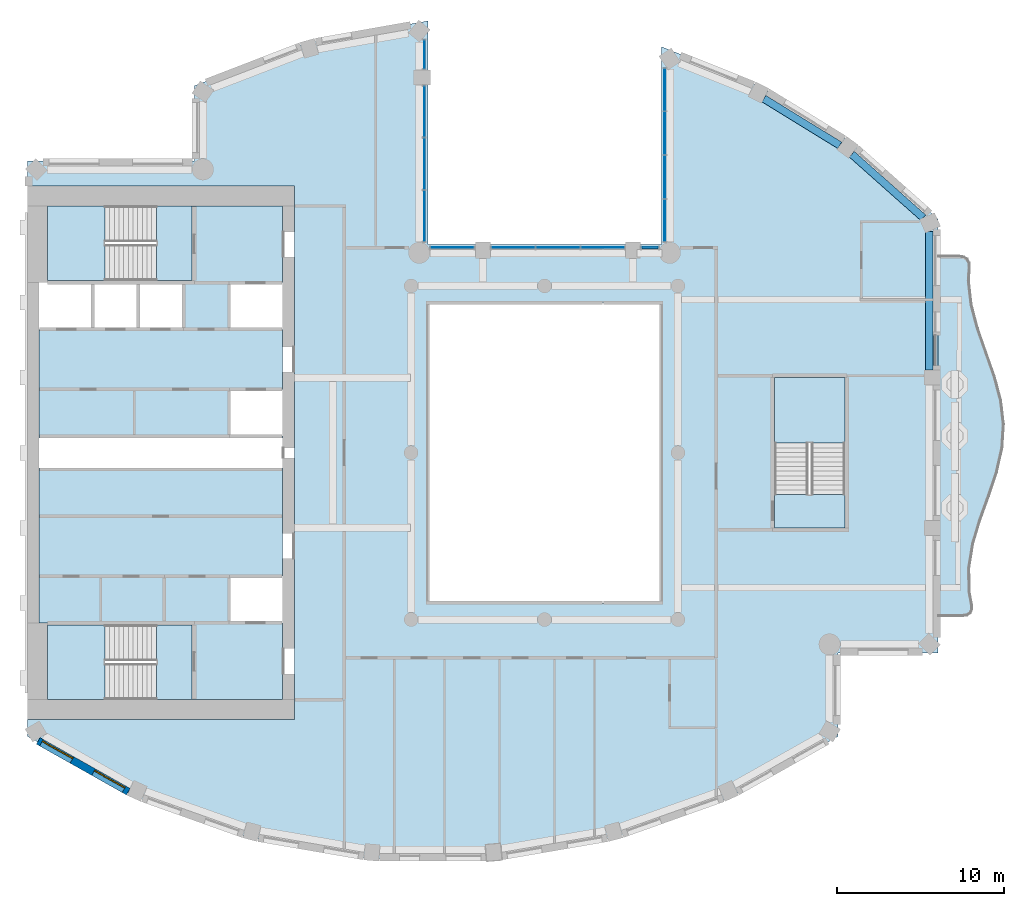
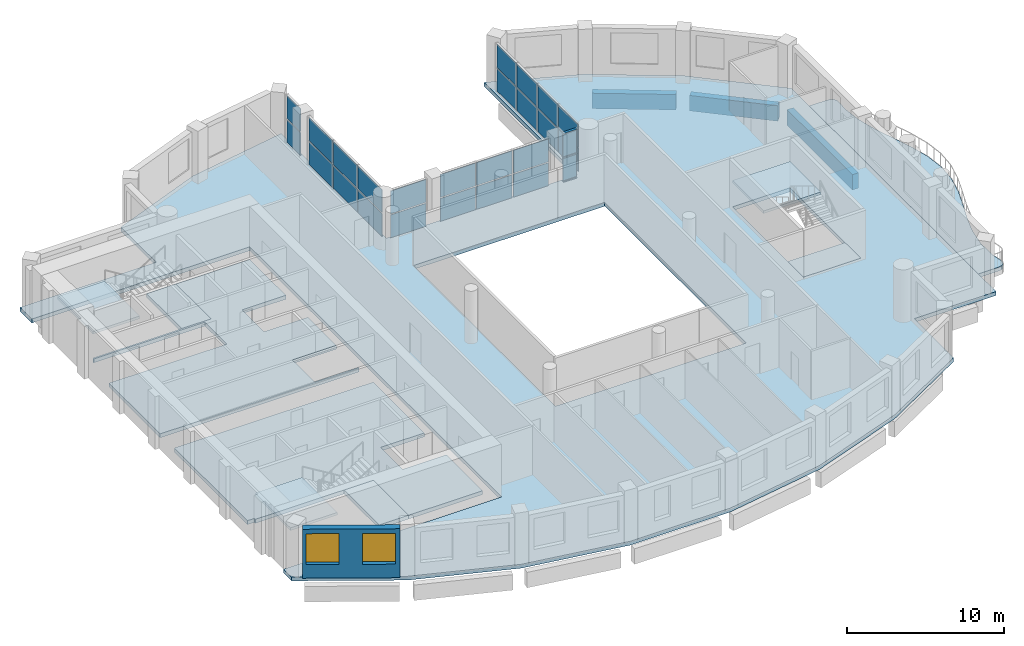
# One storey, part 3 of 14: 26 plates, 10 slabs, 3 beams, 3 members, 2 windows, 1 wall, 2 openings, 9 elements without a shape of their own.
"""IFC4 building model written with IfcOpenShell, lengths in metres."""

import ifcopenshell
import ifcopenshell.guid

model = None  # the IFC model being written
_history = None  # IfcOwnerHistory: only IFC2X3 demands one
_inside = {}  # id of a spatial element -> (the spatial element, [elements in it])
_under = {}  # id of a project, library or spatial element -> (it, [spatial elements below it])
_declared = {}  # id of a project -> (the project, [libraries it declares])
_typed = {}  # id of a type object -> (the type object, [elements of that type])
_made_of = {}  # id of a material, layer set ... -> (it, [elements and type objects made of it])


def new_model(schema):
    """Start an empty IFC model of exactly this schema.

    Asked for "IFC4X3", IfcOpenShell would pick the latest addendum, in which some entities
    have other attributes; the version numbers below select the first issue.
    IFC2X3 requires an IfcOwnerHistory on every rooted entity: one is made here for all.
    """
    global model, _history
    if schema == "IFC4X3":
        model = ifcopenshell.file(schema_version=(4, 3, 0, 0))
    else:
        model = ifcopenshell.file(schema=schema)
    _inside.clear()
    _under.clear()
    _declared.clear()
    _typed.clear()
    _made_of.clear()
    _history = None
    if model.schema == "IFC2X3":
        org = make("IfcOrganization", Name="unknown")
        user = make(
            "IfcPersonAndOrganization",
            ThePerson=make("IfcPerson", FamilyName="unknown"),
            TheOrganization=org,
        )
        app = make(
            "IfcApplication",
            ApplicationDeveloper=org,
            Version="unknown",
            ApplicationFullName="unknown",
            ApplicationIdentifier="unknown",
        )
        _history = make(
            "IfcOwnerHistory",
            OwningUser=user,
            OwningApplication=app,
            ChangeAction="ADDED",
            CreationDate=0,
        )
    return model


def make(cls, **values):
    """One entity of the class cls with the attributes given. An attribute that is None is left unset."""
    return model.create_entity(
        cls, **{name: value for name, value in values.items() if value is not None}
    )


def rooted(cls, **values):
    """An entity with a GlobalId (a new one), such as an element, a storey or a relation."""
    return make(cls, GlobalId=ifcopenshell.guid.new(), OwnerHistory=_history, **values)


def si_unit(unit_type, name, prefix=None):
    """IfcSIUnit, for example si_unit("LENGTHUNIT", "METRE", prefix="MILLI")."""
    return make("IfcSIUnit", UnitType=unit_type, Prefix=prefix, Name=name)


def assignment(units):
    """IfcUnitAssignment: the units of a project."""
    return None if units is None else make("IfcUnitAssignment", Units=units)


def point(xyz):
    """IfcCartesianPoint."""
    return None if xyz is None else make("IfcCartesianPoint", Coordinates=xyz)


def direction(xyz):
    """IfcDirection."""
    return None if xyz is None else make("IfcDirection", DirectionRatios=xyz)


def frame(location, z_axis=None, x_axis=None):
    """IfcAxis2Placement3D, a coordinate frame: its origin and axes. An axis left out is left unset."""
    return make(
        "IfcAxis2Placement3D",
        Location=point(location),
        Axis=direction(z_axis),
        RefDirection=direction(x_axis),
    )


def frame_2d(location, x_axis=None):
    """IfcAxis2Placement2D, a coordinate frame in the plane: its origin and x axis."""
    return make(
        "IfcAxis2Placement2D", Location=point(location), RefDirection=direction(x_axis)
    )


def origin():
    """The frame at (0, 0, 0) with its axes left unset."""
    return frame((0.0, 0.0, 0.0))


def origin_2d():
    """The frame at (0, 0) in the plane with its x axis left unset."""
    return frame_2d((0.0, 0.0))


def place(relative_to, where):
    """IfcLocalPlacement: puts the frame where relative to a parent placement (None: the world)."""
    return make(
        "IfcLocalPlacement", PlacementRelTo=relative_to, RelativePlacement=where
    )


def context(
    kind, dimensions, precision=None, world=None, true_north=None, identifier=None
):
    """IfcGeometricRepresentationContext, for example the 3D "Model" context."""
    return make(
        "IfcGeometricRepresentationContext",
        ContextIdentifier=identifier,
        ContextType=kind,
        CoordinateSpaceDimension=dimensions,
        Precision=precision,
        WorldCoordinateSystem=world,
        TrueNorth=true_north,
    )


def subcontext(parent, identifier, kind, view, scale=None):
    """IfcGeometricRepresentationSubContext, for example "Body" below "Model"."""
    return make(
        "IfcGeometricRepresentationSubContext",
        ContextIdentifier=identifier,
        ContextType=kind,
        ParentContext=parent,
        TargetScale=scale,
        TargetView=view,
    )


def project(units=None, contexts=None):
    """IfcProject with its units and contexts."""
    return rooted(
        "IfcProject",
        Name="project",
        RepresentationContexts=contexts,
        UnitsInContext=assignment(units),
    )


def spatial(cls, under=None, at=None, **own):
    """A site, building, storey or space (cls), placed at a placement, below another one or the project."""
    s = rooted(cls, ObjectPlacement=at, **own)
    if under is not None:
        _under.setdefault(under.id(), (under, []))[1].append(s)
    return s


def polyline(points):
    """IfcPolyline through the points."""
    return make("IfcPolyline", Points=[point(p) for p in points])


def profile(cls, at=None, kind="AREA", **sizes):
    """A parametric profile (cls). Its sizes go by their IFC names, for example OverallWidth=200.0."""
    return make(cls, ProfileType=kind, Position=at, **sizes)


def rectangle(**sizes):
    """IfcRectangleProfileDef."""
    return profile("IfcRectangleProfileDef", **sizes)


def outline(outer, holes=None, kind="AREA"):
    """IfcArbitraryClosedProfileDef: a profile drawn as a closed curve; with holes, ...WithVoids."""
    if holes is None:
        return make("IfcArbitraryClosedProfileDef", ProfileType=kind, OuterCurve=outer)
    return make(
        "IfcArbitraryProfileDefWithVoids",
        ProfileType=kind,
        OuterCurve=outer,
        InnerCurves=holes,
    )


def extrude(swept, where, along, depth):
    """IfcExtrudedAreaSolid: the profile swept, set in the frame where, extruded along a direction by depth."""
    return make(
        "IfcExtrudedAreaSolid",
        SweptArea=swept,
        Position=where,
        ExtrudedDirection=direction(along),
        Depth=depth,
    )


def shape(context_of_items, identifier, shape_type, items):
    """IfcShapeRepresentation: the items that make up one representation, for example the "Body"."""
    return make(
        "IfcShapeRepresentation",
        ContextOfItems=context_of_items,
        RepresentationIdentifier=identifier,
        RepresentationType=shape_type,
        Items=items,
    )


def material(Name=None, Category=None):
    """IfcMaterial."""
    return make("IfcMaterial", Name=Name, Category=Category)


def layer(
    of_material, thickness, ventilated=None, Name=None, Category=None, Priority=None
):
    """IfcMaterialLayer: one layer of a wall or slab, of a material (None: an air gap)."""
    return make(
        "IfcMaterialLayer",
        Material=of_material,
        LayerThickness=thickness,
        IsVentilated=ventilated,
        Name=Name,
        Category=Category,
        Priority=Priority,
    )


def layer_set(layers, Name=None):
    """IfcMaterialLayerSet."""
    return make("IfcMaterialLayerSet", MaterialLayers=layers, LayerSetName=Name)


def material_profile(
    of_material, cross_section, Name=None, Category=None, Priority=None
):
    """IfcMaterialProfile: a cross section and its material."""
    return make(
        "IfcMaterialProfile",
        Name=Name,
        Material=of_material,
        Profile=cross_section,
        Priority=Priority,
        Category=Category,
    )


def profile_set(profiles, Name=None, composite=None):
    """IfcMaterialProfileSet."""
    return make(
        "IfcMaterialProfileSet",
        Name=Name,
        MaterialProfiles=profiles,
        CompositeProfile=composite,
    )


def made_of(thing, what):
    """Note that an element or type object is made of a material, layer set ...; save() writes the relation."""
    if what is not None:
        _made_of.setdefault(what.id(), (what, []))[1].append(thing)
    return thing


def type_object(cls, material=None, **own):
    """A type object (cls), such as IfcWallType, which elements share."""
    return made_of(rooted(cls, **own), material)


def element(
    cls,
    number,
    at=None,
    inside=None,
    cuts=None,
    type_object=None,
    material=None,
    context=None,
    identifier="Body",
    shape_type=None,
    held_by="IfcProductDefinitionShape",
    body=None,
    shapes=None,
    **own,
):
    """One element of the class cls, such as IfcWall. Its Tag is "e" and its number.

    at: its placement. inside: the storey or other place that contains it. cuts: it is an
    opening in that element (IfcRelVoidsElement). A single representation is given by context,
    identifier, shape_type and body (its items); several are given by shapes. held_by: the class
    of the entity that holds the representations. save() writes the other relations.
    """
    e = rooted(cls, Tag="e%d" % number, ObjectPlacement=at, **own)
    if body is not None:
        shapes = [shape(context, identifier, shape_type, body)]
    if shapes is not None:
        e.Representation = make(held_by, Representations=shapes)
    if inside is not None:
        _inside.setdefault(inside.id(), (inside, []))[1].append(e)
    if cuts is not None:
        rooted(
            "IfcRelVoidsElement", RelatingBuildingElement=cuts, RelatedOpeningElement=e
        )
    if type_object is not None:
        _typed.setdefault(type_object.id(), (type_object, []))[1].append(e)
    return made_of(e, material)


def fill(opening, filler):
    """IfcRelFillsElement: the door or window that sits in an opening."""
    return rooted(
        "IfcRelFillsElement",
        RelatingOpeningElement=opening,
        RelatedBuildingElement=filler,
    )


def aggregate(whole, parts):
    """IfcRelAggregates: a whole, such as a stair, and the parts it consists of."""
    return rooted("IfcRelAggregates", RelatingObject=whole, RelatedObjects=parts)


def save(model, path):
    """Write the relations noted so far, then the file.

    IfcRelAggregates (storeys below a building ...), IfcRelContainedInSpatialStructure (elements
    in a storey), IfcRelDefinesByType, IfcRelAssociatesMaterial and IfcRelDeclares: one each for
    every whole, place, type object, material and project.
    """
    for whole, parts in _under.values():
        aggregate(whole, parts)
    for where, things in _inside.values():
        rooted(
            "IfcRelContainedInSpatialStructure",
            RelatedElements=things,
            RelatingStructure=where,
        )
    for kind, things in _typed.values():
        rooted("IfcRelDefinesByType", RelatedObjects=things, RelatingType=kind)
    for what, things in _made_of.values():
        rooted("IfcRelAssociatesMaterial", RelatedObjects=things, RelatingMaterial=what)
    for by, libraries in _declared.values():
        rooted("IfcRelDeclares", RelatingContext=by, RelatedDefinitions=libraries)
    model.write(path)


model = new_model("IFC4")

# Units and contexts
model_context = context("Model", 3, precision=1e-05, world=origin(), true_north=direction((0.0, 1.0)))
body_context = subcontext(model_context, "Body", "Model", "MODEL_VIEW")
ifc_project = project(units=[si_unit("LENGTHUNIT", "METRE"), si_unit("AREAUNIT", "SQUARE_METRE"), si_unit("VOLUMEUNIT", "CUBIC_METRE"), si_unit("PLANEANGLEUNIT", "RADIAN"), si_unit("MASSUNIT", "GRAM", prefix="KILO")], contexts=[model_context])

# Site, building, storey
site_placement = place(None, origin())
site = spatial("IfcSite", under=ifc_project, at=site_placement, CompositionType="ELEMENT")
building_placement = place(site_placement, origin())
building = spatial("IfcBuilding", under=site, at=building_placement, Name="Cypress Arch Tower", CompositionType="ELEMENT")
storey_placement = place(building_placement, frame((0.0, 0.0, 304.89990234375)))
storey = spatial("IfcBuildingStorey", under=building, at=storey_placement, Name="L69", CompositionType="ELEMENT", Elevation=304.89990234375)

# Beams
ifc_material_1 = material(Name="Concrete C50/60", Category="concrete")
ifc_material_profile_1 = material_profile(ifc_material_1, rectangle(XDim=0.449951171875, YDim=1.199951171875, at=origin_2d()), Name="RC 450x1200")
ifc_profile_set_1 = profile_set([ifc_material_profile_1], Name="Concrete C50/60")
beam_type = type_object("IfcBeamType", Name="Spandrel beam RC 450x1200 Concrete C50/60", PredefinedType="SPANDREL", material=ifc_profile_set_1)
beam_1_placement = place(storey_placement, frame((24.074951171875, 4.949951171875, -1.5498046875), z_axis=(0.0, 1.0, 0.0), x_axis=(-1.0, 0.0, 0.0)))
element("IfcBeam", 1, at=beam_1_placement, inside=storey, type_object=beam_type, Name="Spandrel beam L69 BC17-2", PredefinedType="SPANDREL", context=body_context, shape_type="SweptSolid", body=[
    extrude(rectangle(XDim=0.449951171875, YDim=1.199951171875, at=origin_2d()), origin(), (0.0, 0.0, 1.0), 8.32080078125),
])
beam_2_placement = place(storey_placement, frame((23.706298828125, 14.091796875, -1.5498046875), z_axis=(-0.747555073917, 0.664199827959, 0.0), x_axis=(-0.664199827959, -0.747555073917, 0.0)))
element("IfcBeam", 2, at=beam_2_placement, inside=storey, type_object=beam_type, Name="Spandrel beam L69 BC18-0", PredefinedType="SPANDREL", context=body_context, shape_type="SweptSolid", body=[
    extrude(rectangle(XDim=0.449951171875, YDim=1.199951171875, at=origin_2d()), origin(), (0.0, 0.0, 1.0), 5.72900390625),
])
beam_3_placement = place(storey_placement, frame((18.700927734375, 18.43359375, -1.5498046875), z_axis=(-0.851880940975, 0.523735488966, 0.0), x_axis=(-0.523735488966, -0.851880940975, 0.0)))
element("IfcBeam", 3, at=beam_3_placement, inside=storey, type_object=beam_type, Name="Spandrel beam L69 BC19-0", PredefinedType="SPANDREL", context=body_context, shape_type="SweptSolid", body=[
    extrude(rectangle(XDim=0.449951171875, YDim=1.199951171875, at=origin_2d()), origin(), (0.0, 0.0, 1.0), 5.344970703125),
])

# Curtain wall, members
ifc_material_2 = material(Name="Anodised aluminium, bronze finish, clear laminated double glazing", Category="aluminium")
curtain_wall_type = type_object("IfcCurtainWallType", Name="Curtain wall CW7 slot glazing", PredefinedType="NOTDEFINED", material=ifc_material_2)
curtain_wall_1_placement = place(storey_placement, origin())
curtain_wall_1 = element("IfcCurtainWall", 4, at=curtain_wall_1_placement, inside=storey, type_object=curtain_wall_type, Name="Curtain wall L69 slot C01.0", PredefinedType="NOTDEFINED")
ifc_material_3 = material(Name="Anodised aluminium, bronze finish", Category="aluminium")
ifc_material_profile_2 = material_profile(ifc_material_3, rectangle(XDim=0.179931640625, YDim=0.0849609375, at=origin_2d()), Name="Transom 85x180")
ifc_profile_set_2 = profile_set([ifc_material_profile_2], Name="Anodised aluminium, bronze finish")
member_type = type_object("IfcMemberType", Name="Transom CW7 85x180", PredefinedType="USERDEFINED", material=ifc_profile_set_2)
member_1_placement = place(storey_placement, frame((7.8134765625, 12.300048828125, 0.04248046875), z_axis=(-1.0, 0.0, 0.0), x_axis=(0.0, -1.0, 0.0)))
member_1 = element("IfcMember", 5, at=member_1_placement, type_object=member_type, Name="CW7 transom 1.1", ObjectType="TRANSOM", PredefinedType="USERDEFINED", context=body_context, shape_type="SweptSolid", body=[
    extrude(rectangle(XDim=0.179931640625, YDim=0.0849609375, at=origin_2d()), origin(), (0.0, 0.0, 1.0), 0.978515625),
])
member_2_placement = place(storey_placement, frame((7.8134765625, 12.300048828125, 1.900146484375), z_axis=(-1.0, 0.0, 0.0), x_axis=(0.0, -1.0, 0.0)))
member_2 = element("IfcMember", 6, at=member_2_placement, type_object=member_type, Name="CW7 transom 1.2", ObjectType="TRANSOM", PredefinedType="USERDEFINED", context=body_context, shape_type="SweptSolid", body=[
    extrude(rectangle(XDim=0.179931640625, YDim=0.0849609375, at=origin_2d()), origin(), (0.0, 0.0, 1.0), 0.978515625),
])
member_3_placement = place(storey_placement, frame((7.8134765625, 12.300048828125, 3.757568359375), z_axis=(-1.0, 0.0, 0.0), x_axis=(0.0, -1.0, 0.0)))
member_3 = element("IfcMember", 7, at=member_3_placement, type_object=member_type, Name="CW7 transom 1.3", ObjectType="TRANSOM", PredefinedType="USERDEFINED", context=body_context, shape_type="SweptSolid", body=[
    extrude(rectangle(XDim=0.179931640625, YDim=0.0849609375, at=origin_2d()), origin(), (0.0, 0.0, 1.0), 0.978515625),
])

# Slabs
ifc_material_4 = material(Name="Concrete C40/50", Category="concrete")
ifc_layer_1 = layer(ifc_material_4, 0.300048828125)
ifc_layer_set_1 = layer_set([ifc_layer_1], Name="Balcony slab BS300")
slab_type_1 = type_object("IfcSlabType", Name="Balcony slab BS300", PredefinedType="USERDEFINED", material=ifc_layer_set_1)
slab_1_placement = place(storey_placement, frame((0.0, 0.0, -0.2998046875)))
element("IfcSlab", 8, at=slab_1_placement, inside=storey, type_object=slab_type_1, Name="Balcony slab L69-C17", ObjectType="BALCONY SLAB", PredefinedType="USERDEFINED", context=body_context, shape_type="SweptSolid", body=[
    extrude(outline(polyline([(24.60009765625, -9.75), (26.051513671875, -9.75), (26.3310546875, -9.709716796875), (26.513671875, -9.5888671875), (26.599365234375, -9.38720703125), (26.588134765625, -9.10498046875), (26.4423828125, -8.316650390625), (26.42431640625, -6.88330078125), (26.657470703125, -5.449951171875), (27.085205078125, -4.0166015625), (27.602294921875, -2.583251953125), (28.081787109375, -1.14990234375), (28.40673828125, 0.283447265625), (28.4970703125, 1.716552734375), (28.33056640625, 3.14990234375), (27.9482421875, 4.583251953125), (27.44384765625, 6.0166015625), (26.94091796875, 7.449951171875), (26.562744140625, 8.88330078125), (26.402099609375, 10.316650390625), (26.455078125, 11.10498046875), (26.43359375, 11.38720703125), (26.325927734375, 11.5888671875), (26.132080078125, 11.709716796875), (25.851806640625, 11.75), (24.60009765625, 11.75), (24.60009765625, -9.75)])), origin(), (0.0, 0.0, 1.0), 0.2998046875),
])
ifc_material_5 = material(Name="Concrete C40/50", Category="concrete")
ifc_layer_2 = layer(ifc_material_5, 0.300048828125)
ifc_layer_set_2 = layer_set([ifc_layer_2], Name="Core floor CF300")
slab_type_2 = type_object("IfcSlabType", Name="Core floor CF300", PredefinedType="FLOOR", material=ifc_layer_set_2)
slab_2_placement = place(storey_placement, frame((0.0, 0.0, -0.2998046875)))
element("IfcSlab", 9, at=slab_2_placement, inside=storey, type_object=slab_type_2, Name="Core floor", PredefinedType="FLOOR", context=body_context, shape_type="SweptSolid", body=[
    extrude(outline(polyline([(-28.89990234375, -10.199951171875), (-29.300048828125, -10.199951171875), (-29.300048828125, -0.89990234375), (-28.89990234375, -0.89990234375), (-15.10009765625, -0.89990234375), (-14.699951171875, -0.89990234375), (-14.699951171875, -7.39990234375), (-15.10009765625, -7.39990234375), (-17.919921875, -7.39990234375), (-17.919921875, -10.199951171875), (-15.10009765625, -10.199951171875), (-14.699951171875, -10.199951171875), (-14.699951171875, -14.800048828125), (-15.10009765625, -14.800048828125), (-20.125, -14.800048828125), (-20.125, -10.324951171875), (-22.27490234375, -10.324951171875), (-28.800048828125, -10.324951171875), (-28.800048828125, -10.199951171875), (-28.89990234375, -10.199951171875)])), origin(), (0.0, 0.0, 1.0), 0.2998046875),
])
slab_3_placement = place(storey_placement, frame((0.0, 0.0, -0.2998046875)))
element("IfcSlab", 10, at=slab_3_placement, inside=storey, type_object=slab_type_2, Name="Core floor", PredefinedType="FLOOR", context=body_context, shape_type="SweptSolid", body=[
    extrude(outline(polyline([(-22.27490234375, -10.324951171875), (-22.27490234375, -14.800048828125), (-20.125, -14.800048828125), (-20.125, -10.324951171875), (-22.27490234375, -10.324951171875)])), origin(), (0.0, 0.0, 1.0), 0.2998046875),
])
slab_4_placement = place(storey_placement, frame((0.0, 0.0, -0.2998046875)))
element("IfcSlab", 11, at=slab_4_placement, inside=storey, type_object=slab_type_2, Name="Core floor", PredefinedType="FLOOR", context=body_context, shape_type="SweptSolid", body=[
    extrude(outline(polyline([(-20.125, 14.800048828125), (-22.27490234375, 14.800048828125), (-22.27490234375, 10.324951171875), (-20.125, 10.324951171875), (-20.125, 14.800048828125)])), origin(), (0.0, 0.0, 1.0), 0.2998046875),
])
slab_5_placement = place(storey_placement, frame((0.0, 0.0, -0.2998046875)))
element("IfcSlab", 12, at=slab_5_placement, inside=storey, type_object=slab_type_2, Name="Stair floor landing", PredefinedType="FLOOR", context=body_context, shape_type="SweptSolid", body=[
    extrude(outline(polyline([(19.0, -4.5), (19.0, -2.5), (14.800048828125, -2.5), (14.800048828125, -4.5), (19.0, -4.5)])), origin(), (0.0, 0.0, 1.0), 0.2998046875),
])
slab_6_placement = place(storey_placement, frame((0.0, 0.0, -0.2998046875)))
element("IfcSlab", 13, at=slab_6_placement, inside=storey, type_object=slab_type_2, Name="Core floor", PredefinedType="FLOOR", context=body_context, shape_type="SweptSolid", body=[
    extrude(outline(polyline([(-20.639892578125, 10.199951171875), (-23.360107421875, 10.199951171875), (-26.080078125, 10.199951171875), (-28.800048828125, 10.199951171875), (-28.800048828125, 10.324951171875), (-22.27490234375, 10.324951171875), (-20.125, 10.324951171875), (-20.125, 14.800048828125), (-15.10009765625, 14.800048828125), (-14.699951171875, 14.800048828125), (-14.699951171875, 10.199951171875), (-15.10009765625, 10.199951171875), (-17.919921875, 10.199951171875), (-17.919921875, 7.39990234375), (-15.10009765625, 7.39990234375), (-14.699951171875, 7.39990234375), (-14.699951171875, 3.800048828125), (-15.10009765625, 3.800048828125), (-17.919921875, 3.800048828125), (-17.919921875, 1.5), (-17.919921875, 1.0), (-17.5, 1.0), (-15.10009765625, 1.0), (-14.699951171875, 1.0), (-14.699951171875, 0.89990234375), (-15.10009765625, 0.89990234375), (-17.5, 0.89990234375), (-18.300048828125, 0.89990234375), (-28.89990234375, 0.89990234375), (-29.300048828125, 0.89990234375), (-29.300048828125, 1.5), (-29.300048828125, 7.39990234375), (-28.89990234375, 7.39990234375), (-26.080078125, 7.39990234375), (-23.360107421875, 7.39990234375), (-20.639892578125, 7.39990234375), (-20.639892578125, 10.199951171875)])), origin(), (0.0, 0.0, 1.0), 0.2998046875),
])

# Curtain wall, plates
curtain_wall_2_placement = place(storey_placement, origin())
curtain_wall_2 = element("IfcCurtainWall", 14, at=curtain_wall_2_placement, inside=storey, type_object=curtain_wall_type, Name="Curtain wall L69 slot C00.0", PredefinedType="NOTDEFINED")
ifc_material_6 = material(Name="Clear laminated double glazing", Category="glass")
ifc_layer_3 = layer(ifc_material_6, 0.0439453125)
ifc_layer_set_3 = layer_set([ifc_layer_3], Name="Glass panel CW7 44")
plate_type = type_object("IfcPlateType", Name="Glass panel CW7 44", PredefinedType="CURTAIN_PANEL", material=ifc_layer_set_3)
plate_1_placement = place(storey_placement, frame((8.199951171875, 21.768798828125, 0.085205078125), z_axis=(0.0, 0.0, 1.0), x_axis=(0.0, -1.0, 0.0)))
plate_1 = element("IfcPlate", 15, at=plate_1_placement, type_object=plate_type, Name="CW7 panel 1.1", PredefinedType="CURTAIN_PANEL", context=body_context, shape_type="SweptSolid", body=[
    extrude(rectangle(XDim=2.497802734375, YDim=0.0439453125, at=origin_2d()), origin(), (0.0, 0.0, 1.0), 1.7724609375),
])
plate_2_placement = place(storey_placement, frame((8.199951171875, 21.768798828125, 1.942626953125), z_axis=(0.0, 0.0, 1.0), x_axis=(0.0, -1.0, 0.0)))
plate_2 = element("IfcPlate", 16, at=plate_2_placement, type_object=plate_type, Name="CW7 panel 1.2", PredefinedType="CURTAIN_PANEL", context=body_context, shape_type="SweptSolid", body=[
    extrude(rectangle(XDim=2.497802734375, YDim=0.0439453125, at=origin_2d()), origin(), (0.0, 0.0, 1.0), 1.7724609375),
])
plate_3_placement = place(storey_placement, frame((8.199951171875, 19.164794921875, 0.085205078125), z_axis=(0.0, 0.0, 1.0), x_axis=(0.0, -1.0, 0.0)))
plate_3 = element("IfcPlate", 17, at=plate_3_placement, type_object=plate_type, Name="CW7 panel 2.1", PredefinedType="CURTAIN_PANEL", context=body_context, shape_type="SweptSolid", body=[
    extrude(rectangle(XDim=2.540283203125, YDim=0.0439453125, at=origin_2d()), origin(), (0.0, 0.0, 1.0), 1.7724609375),
])
plate_4_placement = place(storey_placement, frame((8.199951171875, 19.164794921875, 1.942626953125), z_axis=(0.0, 0.0, 1.0), x_axis=(0.0, -1.0, 0.0)))
plate_4 = element("IfcPlate", 18, at=plate_4_placement, type_object=plate_type, Name="CW7 panel 2.2", PredefinedType="CURTAIN_PANEL", context=body_context, shape_type="SweptSolid", body=[
    extrude(rectangle(XDim=2.540283203125, YDim=0.0439453125, at=origin_2d()), origin(), (0.0, 0.0, 1.0), 1.7724609375),
])
plate_5_placement = place(storey_placement, frame((8.199951171875, 16.53955078125, 0.085205078125), z_axis=(0.0, 0.0, 1.0), x_axis=(0.0, -1.0, 0.0)))
plate_5 = element("IfcPlate", 19, at=plate_5_placement, type_object=plate_type, Name="CW7 panel 3.1", PredefinedType="CURTAIN_PANEL", context=body_context, shape_type="SweptSolid", body=[
    extrude(rectangle(XDim=2.540283203125, YDim=0.0439453125, at=origin_2d()), origin(), (0.0, 0.0, 1.0), 1.7724609375),
])
plate_6_placement = place(storey_placement, frame((8.199951171875, 16.53955078125, 1.942626953125), z_axis=(0.0, 0.0, 1.0), x_axis=(0.0, -1.0, 0.0)))
plate_6 = element("IfcPlate", 20, at=plate_6_placement, type_object=plate_type, Name="CW7 panel 3.2", PredefinedType="CURTAIN_PANEL", context=body_context, shape_type="SweptSolid", body=[
    extrude(rectangle(XDim=2.540283203125, YDim=0.0439453125, at=origin_2d()), origin(), (0.0, 0.0, 1.0), 1.7724609375),
])
plate_7_placement = place(storey_placement, frame((8.199951171875, 13.935302734375, 0.085205078125), z_axis=(0.0, 0.0, 1.0), x_axis=(0.0, -1.0, 0.0)))
plate_7 = element("IfcPlate", 21, at=plate_7_placement, type_object=plate_type, Name="CW7 panel 4.1", PredefinedType="CURTAIN_PANEL", context=body_context, shape_type="SweptSolid", body=[
    extrude(rectangle(XDim=2.497802734375, YDim=0.0439453125, at=origin_2d()), origin(), (0.0, 0.0, 1.0), 1.7724609375),
])
plate_8_placement = place(storey_placement, frame((8.199951171875, 13.935302734375, 1.942626953125), z_axis=(0.0, 0.0, 1.0), x_axis=(0.0, -1.0, 0.0)))
plate_8 = element("IfcPlate", 22, at=plate_8_placement, type_object=plate_type, Name="CW7 panel 4.2", PredefinedType="CURTAIN_PANEL", context=body_context, shape_type="SweptSolid", body=[
    extrude(rectangle(XDim=2.497802734375, YDim=0.0439453125, at=origin_2d()), origin(), (0.0, 0.0, 1.0), 1.7724609375),
])
aggregate(curtain_wall_2, [plate_1, plate_2, plate_3, plate_4, plate_5, plate_6, plate_7, plate_8])

# Plate
plate_9_placement = place(storey_placement, frame((7.32421875, 12.300048828125, 0.085205078125), z_axis=(0.0, 0.0, 1.0), x_axis=(-1.0, 0.0, 0.0)))
plate_9 = element("IfcPlate", 23, at=plate_9_placement, type_object=plate_type, Name="CW7 panel 1.1", PredefinedType="CURTAIN_PANEL", context=body_context, shape_type="SweptSolid", body=[
    extrude(rectangle(XDim=0.978515625, YDim=0.0439453125, at=origin_2d()), origin(), (0.0, 0.0, 1.0), 1.7724609375),
])

plate_10_placement = place(storey_placement, frame((7.32421875, 12.300048828125, 1.942626953125), z_axis=(0.0, 0.0, 1.0), x_axis=(-1.0, 0.0, 0.0)))
plate_10 = element("IfcPlate", 24, at=plate_10_placement, type_object=plate_type, Name="CW7 panel 1.2", PredefinedType="CURTAIN_PANEL", context=body_context, shape_type="SweptSolid", body=[
    extrude(rectangle(XDim=0.978515625, YDim=0.0439453125, at=origin_2d()), origin(), (0.0, 0.0, 1.0), 1.7724609375),
])

aggregate(curtain_wall_1, [member_1, member_2, member_3, plate_9, plate_10])

# Curtain wall, plates
curtain_wall_3_placement = place(storey_placement, origin())
curtain_wall_3 = element("IfcCurtainWall", 25, at=curtain_wall_3_placement, inside=storey, type_object=curtain_wall_type, Name="Curtain wall L69 slot C01.1", PredefinedType="NOTDEFINED")
plate_11_placement = place(storey_placement, frame((4.478759765625, 12.300048828125, 0.085205078125), z_axis=(0.0, 0.0, 1.0), x_axis=(-1.0, 0.0, 0.0)))
plate_11 = element("IfcPlate", 26, at=plate_11_placement, type_object=plate_type, Name="CW7 panel 1.1", PredefinedType="CURTAIN_PANEL", context=body_context, shape_type="SweptSolid", body=[
    extrude(rectangle(XDim=2.572509765625, YDim=0.0439453125, at=origin_2d()), origin(), (0.0, 0.0, 1.0), 1.7724609375),
])
plate_12_placement = place(storey_placement, frame((4.478759765625, 12.300048828125, 1.942626953125), z_axis=(0.0, 0.0, 1.0), x_axis=(-1.0, 0.0, 0.0)))
plate_12 = element("IfcPlate", 27, at=plate_12_placement, type_object=plate_type, Name="CW7 panel 1.2", PredefinedType="CURTAIN_PANEL", context=body_context, shape_type="SweptSolid", body=[
    extrude(rectangle(XDim=2.572509765625, YDim=0.0439453125, at=origin_2d()), origin(), (0.0, 0.0, 1.0), 1.7724609375),
])
plate_13_placement = place(storey_placement, frame((1.800048828125, 12.300048828125, 0.085205078125), z_axis=(0.0, 0.0, 1.0), x_axis=(-1.0, 0.0, 0.0)))
plate_13 = element("IfcPlate", 28, at=plate_13_placement, type_object=plate_type, Name="CW7 panel 2.1", PredefinedType="CURTAIN_PANEL", context=body_context, shape_type="SweptSolid", body=[
    extrude(rectangle(XDim=2.614990234375, YDim=0.0439453125, at=origin_2d()), origin(), (0.0, 0.0, 1.0), 1.7724609375),
])
plate_14_placement = place(storey_placement, frame((1.800048828125, 12.300048828125, 1.942626953125), z_axis=(0.0, 0.0, 1.0), x_axis=(-1.0, 0.0, 0.0)))
plate_14 = element("IfcPlate", 29, at=plate_14_placement, type_object=plate_type, Name="CW7 panel 2.2", PredefinedType="CURTAIN_PANEL", context=body_context, shape_type="SweptSolid", body=[
    extrude(rectangle(XDim=2.614990234375, YDim=0.0439453125, at=origin_2d()), origin(), (0.0, 0.0, 1.0), 1.7724609375),
])
plate_15_placement = place(storey_placement, frame((-0.878662109375, 12.300048828125, 0.085205078125), z_axis=(0.0, 0.0, 1.0), x_axis=(-1.0, 0.0, 0.0)))
plate_15 = element("IfcPlate", 30, at=plate_15_placement, type_object=plate_type, Name="CW7 panel 3.1", PredefinedType="CURTAIN_PANEL", context=body_context, shape_type="SweptSolid", body=[
    extrude(rectangle(XDim=2.572509765625, YDim=0.0439453125, at=origin_2d()), origin(), (0.0, 0.0, 1.0), 1.7724609375),
])
plate_16_placement = place(storey_placement, frame((-0.878662109375, 12.300048828125, 1.942626953125), z_axis=(0.0, 0.0, 1.0), x_axis=(-1.0, 0.0, 0.0)))
plate_16 = element("IfcPlate", 31, at=plate_16_placement, type_object=plate_type, Name="CW7 panel 3.2", PredefinedType="CURTAIN_PANEL", context=body_context, shape_type="SweptSolid", body=[
    extrude(rectangle(XDim=2.572509765625, YDim=0.0439453125, at=origin_2d()), origin(), (0.0, 0.0, 1.0), 1.7724609375),
])
aggregate(curtain_wall_3, [plate_11, plate_12, plate_13, plate_14, plate_15, plate_16])

curtain_wall_4_placement = place(storey_placement, origin())
curtain_wall_4 = element("IfcCurtainWall", 32, at=curtain_wall_4_placement, inside=storey, type_object=curtain_wall_type, Name="Curtain wall L69 slot C01.2", PredefinedType="NOTDEFINED")
plate_17_placement = place(storey_placement, frame((-4.524169921875, 12.300048828125, 0.085205078125), z_axis=(0.0, 0.0, 1.0), x_axis=(-1.0, 0.0, 0.0)))
plate_17 = element("IfcPlate", 33, at=plate_17_placement, type_object=plate_type, Name="CW7 panel 1.1", PredefinedType="CURTAIN_PANEL", context=body_context, shape_type="SweptSolid", body=[
    extrude(rectangle(XDim=2.57861328125, YDim=0.0439453125, at=origin_2d()), origin(), (0.0, 0.0, 1.0), 1.7724609375),
])
plate_18_placement = place(storey_placement, frame((-4.524169921875, 12.300048828125, 1.942626953125), z_axis=(0.0, 0.0, 1.0), x_axis=(-1.0, 0.0, 0.0)))
plate_18 = element("IfcPlate", 34, at=plate_18_placement, type_object=plate_type, Name="CW7 panel 1.2", PredefinedType="CURTAIN_PANEL", context=body_context, shape_type="SweptSolid", body=[
    extrude(rectangle(XDim=2.57861328125, YDim=0.0439453125, at=origin_2d()), origin(), (0.0, 0.0, 1.0), 1.7724609375),
])
aggregate(curtain_wall_4, [plate_17, plate_18])

curtain_wall_5_placement = place(storey_placement, origin())
curtain_wall_5 = element("IfcCurtainWall", 35, at=curtain_wall_5_placement, inside=storey, type_object=curtain_wall_type, Name="Curtain wall L69 slot C02.0", PredefinedType="NOTDEFINED")
plate_19_placement = place(storey_placement, frame((-6.199951171875, 14.197509765625, 0.085205078125), z_axis=(0.0, 0.0, 1.0), x_axis=(0.0, 1.0, 0.0)))
plate_19 = element("IfcPlate", 36, at=plate_19_placement, type_object=plate_type, Name="CW7 panel 1.1", PredefinedType="CURTAIN_PANEL", context=body_context, shape_type="SweptSolid", body=[
    extrude(rectangle(XDim=3.02197265625, YDim=0.0439453125, at=origin_2d()), origin(), (0.0, 0.0, 1.0), 1.7724609375),
])
plate_20_placement = place(storey_placement, frame((-6.199951171875, 14.197509765625, 1.942626953125), z_axis=(0.0, 0.0, 1.0), x_axis=(0.0, 1.0, 0.0)))
plate_20 = element("IfcPlate", 37, at=plate_20_placement, type_object=plate_type, Name="CW7 panel 1.2", PredefinedType="CURTAIN_PANEL", context=body_context, shape_type="SweptSolid", body=[
    extrude(rectangle(XDim=3.02197265625, YDim=0.0439453125, at=origin_2d()), origin(), (0.0, 0.0, 1.0), 1.7724609375),
])
plate_21_placement = place(storey_placement, frame((-6.199951171875, 17.32568359375, 0.085205078125), z_axis=(0.0, 0.0, 1.0), x_axis=(0.0, 1.0, 0.0)))
plate_21 = element("IfcPlate", 38, at=plate_21_placement, type_object=plate_type, Name="CW7 panel 2.1", PredefinedType="CURTAIN_PANEL", context=body_context, shape_type="SweptSolid", body=[
    extrude(rectangle(XDim=3.064453125, YDim=0.0439453125, at=origin_2d()), origin(), (0.0, 0.0, 1.0), 1.7724609375),
])
plate_22_placement = place(storey_placement, frame((-6.199951171875, 17.32568359375, 1.942626953125), z_axis=(0.0, 0.0, 1.0), x_axis=(0.0, 1.0, 0.0)))
plate_22 = element("IfcPlate", 39, at=plate_22_placement, type_object=plate_type, Name="CW7 panel 2.2", PredefinedType="CURTAIN_PANEL", context=body_context, shape_type="SweptSolid", body=[
    extrude(rectangle(XDim=3.064453125, YDim=0.0439453125, at=origin_2d()), origin(), (0.0, 0.0, 1.0), 1.7724609375),
])
plate_23_placement = place(storey_placement, frame((-6.199951171875, 20.4541015625, 0.085205078125), z_axis=(0.0, 0.0, 1.0), x_axis=(0.0, 1.0, 0.0)))
plate_23 = element("IfcPlate", 40, at=plate_23_placement, type_object=plate_type, Name="CW7 panel 3.1", PredefinedType="CURTAIN_PANEL", context=body_context, shape_type="SweptSolid", body=[
    extrude(rectangle(XDim=3.02197265625, YDim=0.0439453125, at=origin_2d()), origin(), (0.0, 0.0, 1.0), 1.7724609375),
])
plate_24_placement = place(storey_placement, frame((-6.199951171875, 20.4541015625, 1.942626953125), z_axis=(0.0, 0.0, 1.0), x_axis=(0.0, 1.0, 0.0)))
plate_24 = element("IfcPlate", 41, at=plate_24_placement, type_object=plate_type, Name="CW7 panel 3.2", PredefinedType="CURTAIN_PANEL", context=body_context, shape_type="SweptSolid", body=[
    extrude(rectangle(XDim=3.02197265625, YDim=0.0439453125, at=origin_2d()), origin(), (0.0, 0.0, 1.0), 1.7724609375),
])
aggregate(curtain_wall_5, [plate_19, plate_20, plate_21, plate_22, plate_23, plate_24])

curtain_wall_6_placement = place(storey_placement, origin())
curtain_wall_6 = element("IfcCurtainWall", 42, at=curtain_wall_6_placement, inside=storey, type_object=curtain_wall_type, Name="Curtain wall L69 slot C02.1", PredefinedType="NOTDEFINED")
plate_25_placement = place(storey_placement, frame((-6.199951171875, 23.89111328125, 0.085205078125), z_axis=(0.0, 0.0, 1.0), x_axis=(0.0, 1.0, 0.0)))
plate_25 = element("IfcPlate", 43, at=plate_25_placement, type_object=plate_type, Name="CW7 panel 1.1", PredefinedType="CURTAIN_PANEL", context=body_context, shape_type="SweptSolid", body=[
    extrude(rectangle(XDim=1.71240234375, YDim=0.0439453125, at=origin_2d()), origin(), (0.0, 0.0, 1.0), 1.7724609375),
])
plate_26_placement = place(storey_placement, frame((-6.199951171875, 23.89111328125, 1.942626953125), z_axis=(0.0, 0.0, 1.0), x_axis=(0.0, 1.0, 0.0)))
plate_26 = element("IfcPlate", 44, at=plate_26_placement, type_object=plate_type, Name="CW7 panel 1.2", PredefinedType="CURTAIN_PANEL", context=body_context, shape_type="SweptSolid", body=[
    extrude(rectangle(XDim=1.71240234375, YDim=0.0439453125, at=origin_2d()), origin(), (0.0, 0.0, 1.0), 1.7724609375),
])
aggregate(curtain_wall_6, [plate_25, plate_26])

# Slab
ifc_material_7 = material(Name="Concrete C40/50", Category="concrete")
ifc_layer_4 = layer(ifc_material_7, 0.300048828125)
ifc_layer_set_4 = layer_set([ifc_layer_4], Name="PT flat slab 300 Concrete C40/50")
slab_type_3 = type_object("IfcSlabType", Name="PT flat slab 300 Concrete C40/50", PredefinedType="FLOOR", material=ifc_layer_set_4)
slab_7_placement = place(storey_placement, frame((0.0, 0.0, -0.2998046875)))
element("IfcSlab", 45, at=slab_7_placement, inside=storey, type_object=slab_type_3, Name="Floor slab L69", PredefinedType="FLOOR", context=body_context, shape_type="SweptSolid", body=[
    extrude(outline(polyline([(-30.0, 17.5), (-20.0, 17.5), (-20.0, 22.0), (-13.199951171875, 24.6201171875), (-6.0, 25.889892578125), (-6.0, 12.5), (8.0, 12.5), (8.0, 24.35009765625), (14.0, 21.93994140625), (19.39990234375, 18.6201171875), (24.60009765625, 14.0), (24.60009765625, -12.0), (18.60009765625, -12.0), (18.60009765625, -17.0), (12.179931640625, -20.6201171875), (5.239990234375, -23.090087890625), (-2.02001953125, -24.340087890625), (-9.3798828125, -24.340087890625), (-16.639892578125, -23.090087890625), (-23.580078125, -20.6201171875), (-30.0, -17.0), (-30.0, -16.0), (-14.0, -16.0), (-14.0, 16.0), (-30.0, 16.0), (-30.0, 17.5)]), holes=[polyline([(-6.0, -9.0), (8.0, -9.0), (8.0, 9.0), (-6.0, 9.0), (-6.0, -9.0)]), polyline([(14.800048828125, -4.5), (19.0, -4.5), (19.0, 4.5), (14.800048828125, 4.5), (14.800048828125, -4.5)])]), origin(), (0.0, 0.0, 1.0), 0.2998046875),
])

# Stair, slab
ifc_material_8 = material(Name="Concrete C40/50", Category="concrete")
stair_type_1 = type_object("IfcStairType", Name="Exit stair ES1708-215", PredefinedType="HALF_TURN_STAIR", material=ifc_material_8)
stair_1_placement = place(storey_placement, origin())
stair_1 = element("IfcStair", 46, at=stair_1_placement, inside=storey, type_object=stair_type_1, Name="L69 Exit stair A", PredefinedType="HALF_TURN_STAIR")
ifc_material_9 = material(Name="Concrete C40/50", Category="concrete")
ifc_layer_5 = layer(ifc_material_9, 0.199951171875)
ifc_layer_set_5 = layer_set([ifc_layer_5], Name="Stair landing SL200")
slab_type_4 = type_object("IfcSlabType", Name="Stair landing SL200", PredefinedType="LANDING", material=ifc_layer_set_5)
slab_8_placement = place(storey_placement, frame((0.0, 0.0, 1.85009765625)))
slab_8 = element("IfcSlab", 47, at=slab_8_placement, type_object=slab_type_4, Name="A landing 1", PredefinedType="LANDING", context=body_context, shape_type="SweptSolid", body=[
    extrude(outline(polyline([(-25.35498046875, -10.324951171875), (-28.800048828125, -10.324951171875), (-28.800048828125, -14.800048828125), (-25.35498046875, -14.800048828125), (-25.35498046875, -10.324951171875)])), origin(), (0.0, 0.0, 1.0), 0.199951171875),
])
aggregate(stair_1, [slab_8])

stair_2_placement = place(storey_placement, origin())
stair_2 = element("IfcStair", 48, at=stair_2_placement, inside=storey, type_object=stair_type_1, Name="L69 Exit stair B", PredefinedType="HALF_TURN_STAIR")
slab_9_placement = place(storey_placement, frame((0.0, 0.0, 1.85009765625)))
slab_9 = element("IfcSlab", 49, at=slab_9_placement, type_object=slab_type_4, Name="B landing 1", PredefinedType="LANDING", context=body_context, shape_type="SweptSolid", body=[
    extrude(outline(polyline([(-25.35498046875, 14.800048828125), (-28.800048828125, 14.800048828125), (-28.800048828125, 10.324951171875), (-25.35498046875, 10.324951171875), (-25.35498046875, 14.800048828125)])), origin(), (0.0, 0.0, 1.0), 0.199951171875),
])
aggregate(stair_2, [slab_9])

ifc_material_10 = material(Name="Concrete C40/50", Category="concrete")
stair_type_2 = type_object("IfcStairType", Name="Exit stair ES1708-200", PredefinedType="HALF_TURN_STAIR", material=ifc_material_10)
stair_3_placement = place(storey_placement, origin())
stair_3 = element("IfcStair", 50, at=stair_3_placement, inside=storey, type_object=stair_type_2, Name="L69 Exit stair C", PredefinedType="HALF_TURN_STAIR")
slab_10_placement = place(storey_placement, frame((0.0, 0.0, 1.85009765625)))
slab_10 = element("IfcSlab", 51, at=slab_10_placement, type_object=slab_type_4, Name="C landing 1", PredefinedType="LANDING", context=body_context, shape_type="SweptSolid", body=[
    extrude(outline(polyline([(19.0, 0.580078125), (19.0, 4.5), (14.800048828125, 4.5), (14.800048828125, 0.580078125), (19.0, 0.580078125)])), origin(), (0.0, 0.0, 1.0), 0.199951171875),
])
aggregate(stair_3, [slab_10])

# Wall, openings, windows
ifc_material_11 = material(Name="Brick (red buff blend)", Category="masonry")
ifc_layer_6 = layer(ifc_material_11, 0.449951171875)
ifc_layer_set_6 = layer_set([ifc_layer_6], Name="Brick pier and spandrel wall BW450")
wall_type = type_object("IfcWallType", Name="Brick pier and spandrel wall BW450", PredefinedType="SOLIDWALL", material=ifc_layer_set_6)
wall_placement = place(storey_placement, frame((-29.3564453125, -17.276611328125, 0.0), z_axis=(0.0, 0.0, 1.0), x_axis=(0.871065783524, -0.491166367714, 0.0)))
wall = element("IfcWall", 52, at=wall_placement, inside=storey, type_object=wall_type, Name="Brick wall L69 C08.0", PredefinedType="SOLIDWALL", context=body_context, shape_type="SweptSolid", body=[
    extrude(rectangle(XDim=6.1962890625, YDim=0.449951171875, at=frame_2d((3.09814453125, 0.0))), origin(), (0.0, 0.0, 1.0), 3.800048828125),
])
opening_1_placement = place(wall_placement, frame((0.22119140625, 0.0, 1.050048828125)))
opening_1 = element("IfcOpeningElement", 53, at=opening_1_placement, cuts=wall, Name="Opening W210O", PredefinedType="OPENING", context=body_context, shape_type="SweptSolid", body=[
    extrude(rectangle(XDim=2.10009765625, YDim=2.39990234375, at=frame_2d((1.050048828125, 1.199951171875))), frame((0.0, 0.23486328125, 0.0), z_axis=(0.0, -1.0, 0.0), x_axis=(1.0, 0.0, 0.0)), (0.0, 0.0, 1.0), 0.469970703125),
])
opening_2_placement = place(wall_placement, frame((3.8056640625, 0.0, 1.050048828125)))
opening_2 = element("IfcOpeningElement", 54, at=opening_2_placement, cuts=wall, Name="Opening W210O", PredefinedType="OPENING", context=body_context, shape_type="SweptSolid", body=[
    extrude(rectangle(XDim=2.10009765625, YDim=2.39990234375, at=frame_2d((1.050048828125, 1.199951171875))), frame((0.0, 0.23486328125, 0.0), z_axis=(0.0, -1.0, 0.0), x_axis=(1.0, 0.0, 0.0)), (0.0, 0.0, 1.0), 0.469970703125),
])
ifc_material_12 = material(Name="Anodised aluminium, bronze finish, clear low-emissivity double glazing", Category="aluminium")
window_type = type_object("IfcWindowType", Name="Window Office 2100x2400", PartitioningType="SINGLE_PANEL", PredefinedType="WINDOW", material=ifc_material_12)
window_1_placement = place(opening_1_placement, origin())
window_1 = element("IfcWindow", 55, at=window_1_placement, inside=storey, type_object=window_type, Name="Window L69 C08.0.1", OverallHeight=2.39990234375, OverallWidth=2.10009765625, PartitioningType="SINGLE_PANEL", PredefinedType="WINDOW", context=body_context, shape_type="SweptSolid", body=[
    extrude(rectangle(XDim=2.10009765625, YDim=2.39990234375, at=frame_2d((1.050048828125, 1.199951171875))), frame((0.0, 0.135009765625, 0.0), z_axis=(0.0, -1.0, 0.0), x_axis=(1.0, 0.0, 0.0)), (0.0, 0.0, 1.0), 0.06005859375),
])
fill(opening_1, window_1)
window_2_placement = place(opening_2_placement, origin())
window_2 = element("IfcWindow", 56, at=window_2_placement, inside=storey, type_object=window_type, Name="Window L69 C08.0.2", OverallHeight=2.39990234375, OverallWidth=2.10009765625, PartitioningType="SINGLE_PANEL", PredefinedType="WINDOW", context=body_context, shape_type="SweptSolid", body=[
    extrude(rectangle(XDim=2.10009765625, YDim=2.39990234375, at=frame_2d((1.050048828125, 1.199951171875))), frame((0.0, 0.135009765625, 0.0), z_axis=(0.0, -1.0, 0.0), x_axis=(1.0, 0.0, 0.0)), (0.0, 0.0, 1.0), 0.06005859375),
])
fill(opening_2, window_2)

save(model, "model.ifc")
